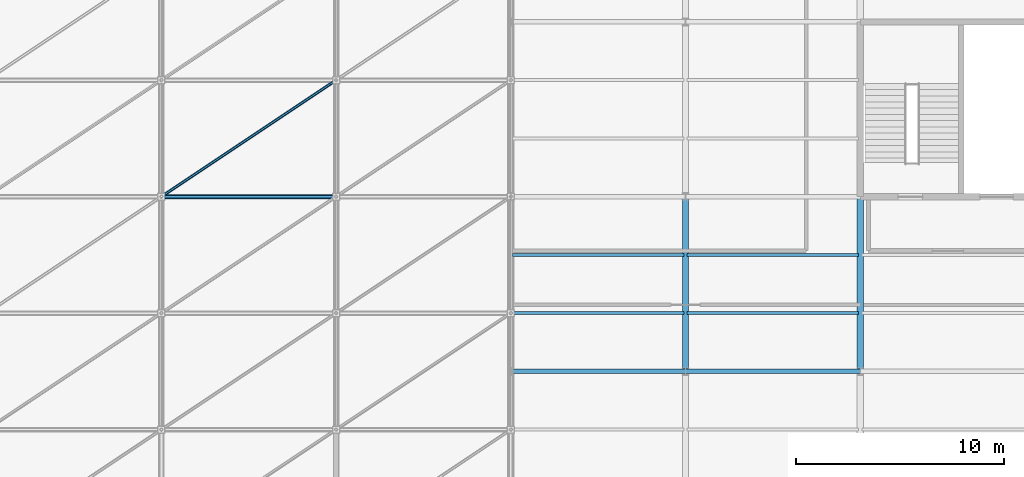
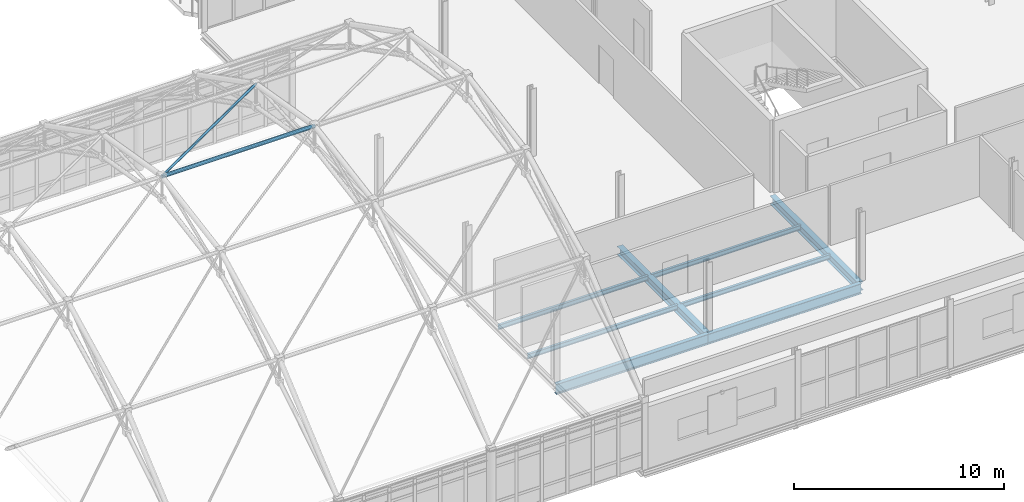
# One storey, part 87 of 184: 8 beams, 2 members.
"""IFC4 building model written with IfcOpenShell, lengths in metres."""

from ifc_helpers import new_model, si_unit, direction, frame, origin, origin_2d, place, context, subcontext, project, spatial, hollow_circle, i_section, extrude, material, material_profile, profile_set, type_object, element, save


model = new_model("IFC4")

# Units and contexts
model_context = context("Model", 3, precision=1e-05, world=origin(), true_north=direction((0.0, 1.0)))
body_context = subcontext(model_context, "Body", "Model", "MODEL_VIEW")
ifc_project = project(units=[si_unit("LENGTHUNIT", "METRE"), si_unit("AREAUNIT", "SQUARE_METRE"), si_unit("VOLUMEUNIT", "CUBIC_METRE"), si_unit("PLANEANGLEUNIT", "RADIAN"), si_unit("MASSUNIT", "GRAM", prefix="KILO")], contexts=[model_context])

# Site, building, storey
site_placement = place(None, origin())
site = spatial("IfcSite", under=ifc_project, at=site_placement, CompositionType="ELEMENT")
building_placement = place(site_placement, origin())
building = spatial("IfcBuilding", under=site, at=building_placement, Name="Qalvenar Corner Mobility Hub", CompositionType="ELEMENT")
storey_placement = place(building_placement, frame((0.0, 0.0, 9.0)))
storey = spatial("IfcBuildingStorey", under=building, at=storey_placement, Name="L02", CompositionType="ELEMENT", Elevation=9.0)

# Beams
ifc_material_1 = material(Name="Steel S355", Category="steel")
ifc_material_profile_1 = material_profile(ifc_material_1, i_section(OverallWidth=0.300048828125, OverallDepth=0.489990234375, WebThickness=0.011962890625, FlangeThickness=0.02294921875, FilletRadius=0.027099609375, at=origin_2d()), Name="HEA500")
ifc_profile_set_1 = profile_set([ifc_material_profile_1], Name="Steel S355")
beam_type_1 = type_object("IfcBeamType", Name="BM-HEA500", PredefinedType="BEAM", material=ifc_profile_set_1)
for number, where, z_axis, x_axis, name in (
    (1, (117.60009765625, 8.39990234375, -0.425048828125), (0.0, 1.0, 0.0), (-1.0, 0.0, 0.0), "Primary Steel Girder GY-1717"),
    (2, (126.0, 8.39990234375, -0.425048828125), (0.0, 1.0, 0.0), (-1.0, 0.0, 0.0), "Primary Steel Girder GY-1722"),
):
    element("IfcBeam", number, at=place(storey_placement, frame(where, z_axis=z_axis, x_axis=x_axis)), inside=storey, type_object=beam_type_1, Name=name, PredefinedType="BEAM", context=body_context, shape_type="SweptSolid", body=[
        extrude(i_section(OverallWidth=0.300048828125, OverallDepth=0.489990234375, WebThickness=0.011962890625, FlangeThickness=0.02294921875, FilletRadius=0.027099609375, at=origin_2d()), origin(), (0.0, 0.0, 1.0), 8.400146484375),
    ])
ifc_material_profile_2 = material_profile(ifc_material_1, i_section(OverallWidth=0.219970703125, OverallDepth=0.60009765625, WebThickness=0.011962890625, FlangeThickness=0.01904296875, FilletRadius=0.02392578125, at=origin_2d()), Name="IPE600")
ifc_profile_set_2 = profile_set([ifc_material_profile_2], Name="Steel S355")
beam_type_2 = type_object("IfcBeamType", Name="BM-IPE600", PredefinedType="BEAM", material=ifc_profile_set_2)
beam_1_placement = place(storey_placement, frame((109.199951171875, 8.39990234375, -0.47998046875), z_axis=(1.0, 0.0, 0.0), x_axis=(0.0, 1.0, 0.0)))
element("IfcBeam", 3, at=beam_1_placement, inside=storey, type_object=beam_type_2, Name="Primary Steel Girder GX-1676", PredefinedType="BEAM", context=body_context, shape_type="SweptSolid", body=[
    extrude(i_section(OverallWidth=0.219970703125, OverallDepth=0.60009765625, WebThickness=0.011962890625, FlangeThickness=0.01904296875, FilletRadius=0.02392578125, at=origin_2d()), origin(), (0.0, 0.0, 1.0), 8.400146484375),
])
beam_2_placement = place(storey_placement, frame((117.60009765625, 8.39990234375, -0.47998046875), z_axis=(1.0, 0.0, 0.0), x_axis=(0.0, 1.0, 0.0)))
element("IfcBeam", 4, at=beam_2_placement, inside=storey, type_object=beam_type_2, Name="Primary Steel Girder GX-1677", PredefinedType="BEAM", context=body_context, shape_type="SweptSolid", body=[
    extrude(i_section(OverallWidth=0.219970703125, OverallDepth=0.60009765625, WebThickness=0.011962890625, FlangeThickness=0.01904296875, FilletRadius=0.02392578125, at=origin_2d()), origin(), (0.0, 0.0, 1.0), 8.39990234375),
])
ifc_material_profile_3 = material_profile(ifc_material_1, i_section(OverallWidth=0.135009765625, OverallDepth=0.27001953125, WebThickness=0.006591796875, FlangeThickness=0.01025390625, FilletRadius=0.014892578125, at=origin_2d()), Name="IPE270")
ifc_profile_set_3 = profile_set([ifc_material_profile_3], Name="Steel S355")
beam_type_3 = type_object("IfcBeamType", Name="BM-JST270", PredefinedType="JOIST", material=ifc_profile_set_3)
for number, where, z_axis, x_axis, name in (
    (5, (109.278076171875, 11.199951171875, -0.31494140625), (1.0, 0.0, 0.0), (0.0, 1.0, 0.0), "Composite Floor Joist J-1753"),
    (6, (109.278076171875, 14.0, -0.31494140625), (1.0, 0.0, 0.0), (0.0, 1.0, 0.0), "Composite Floor Joist J-1754"),
):
    element("IfcBeam", number, at=place(storey_placement, frame(where, z_axis=z_axis, x_axis=x_axis)), inside=storey, type_object=beam_type_3, Name=name, PredefinedType="JOIST", context=body_context, shape_type="SweptSolid", body=[
        extrude(i_section(OverallWidth=0.135009765625, OverallDepth=0.27001953125, WebThickness=0.006591796875, FlangeThickness=0.01025390625, FilletRadius=0.014892578125, at=origin_2d()), origin(), (0.0, 0.0, 1.0), 8.243896484375),
    ])
for number, where, z_axis, x_axis, name in (
    (7, (117.677978515625, 11.199951171875, -0.31494140625), (1.0, 0.0, 0.0), (0.0, 1.0, 0.0), "Composite Floor Joist J-1763"),
    (8, (117.677978515625, 14.0, -0.31494140625), (1.0, 0.0, 0.0), (0.0, 1.0, 0.0), "Composite Floor Joist J-1764"),
):
    element("IfcBeam", number, at=place(storey_placement, frame(where, z_axis=z_axis, x_axis=x_axis)), inside=storey, type_object=beam_type_3, Name=name, PredefinedType="JOIST", context=body_context, shape_type="SweptSolid", body=[
        extrude(i_section(OverallWidth=0.135009765625, OverallDepth=0.27001953125, WebThickness=0.006591796875, FlangeThickness=0.01025390625, FilletRadius=0.014892578125, at=origin_2d()), origin(), (0.0, 0.0, 1.0), 8.244140625),
    ])

# Members
ifc_material_2 = material(Name="Steel S355", Category="steel")
ifc_material_profile_4 = material_profile(ifc_material_2, hollow_circle(Radius=0.109619140625, WallThickness=0.008056640625, at=origin_2d()), Name="CHS219.1x8")
ifc_profile_set_4 = profile_set([ifc_material_profile_4], Name="Steel S355")
member_type_1 = type_object("IfcMemberType", Name="SF-CHD219", PredefinedType="CHORD", material=ifc_profile_set_4)
member_1_placement = place(storey_placement, frame((92.39990234375, 16.800048828125, 12.659912109375), z_axis=(1.0, 0.0, 0.0), x_axis=(0.0, 1.0, 0.0)))
element("IfcMember", 9, at=member_1_placement, inside=storey, type_object=member_type_1, Name="Space Frame Longitudinal Chord SFL-0226", PredefinedType="CHORD", context=body_context, shape_type="SweptSolid", body=[
    extrude(hollow_circle(Radius=0.109619140625, WallThickness=0.008056640625, at=origin_2d()), origin(), (0.0, 0.0, 1.0), 8.400146484375),
])
ifc_material_profile_5 = material_profile(ifc_material_2, hollow_circle(Radius=0.06982421875, WallThickness=0.0048828125, at=origin_2d()), Name="CHS139.7x5")
ifc_profile_set_5 = profile_set([ifc_material_profile_5], Name="Steel S355")
member_type_2 = type_object("IfcMemberType", Name="SF-STR139", PredefinedType="STRUT", material=ifc_profile_set_5)
member_2_placement = place(storey_placement, frame((92.39990234375, 16.800048828125, 12.659912109375), z_axis=(0.828359100752, 0.552215325194, -0.094230753054), x_axis=(-0.554683454097, 0.832061455513, 0.0)))
element("IfcMember", 10, at=member_2_placement, inside=storey, type_object=member_type_2, Name="Space Frame Plan Strut SFP-0232", PredefinedType="STRUT", context=body_context, shape_type="SweptSolid", body=[
    extrude(hollow_circle(Radius=0.06982421875, WallThickness=0.0048828125, at=origin_2d()), origin(), (0.0, 0.0, 1.0), 10.140625),
])

save(model, "model.ifc")
